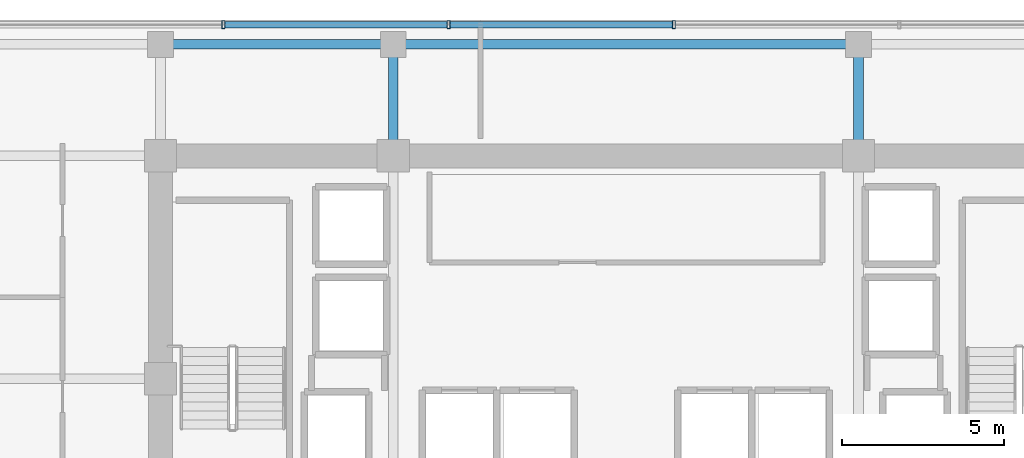
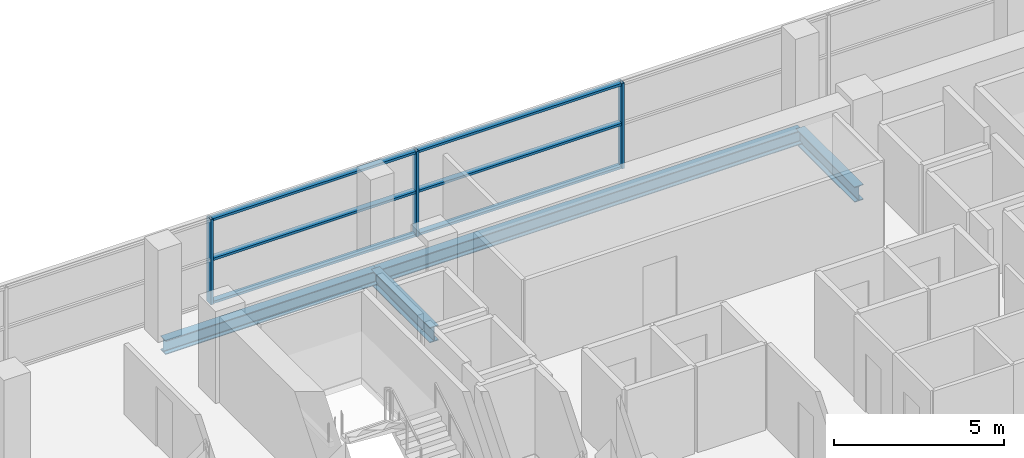
# One storey, part 15 of 27: 9 members, 4 beams, 1 element without a shape of its own.
"""IFC4 building model written with IfcOpenShell, lengths in metres."""

from ifc_helpers import new_model, si_unit, direction, frame, origin, origin_2d, place, context, subcontext, project, spatial, hollow_rectangle, i_section, extrude, source, transform, mapped, material, layer, layer_set, material_profile, profile_set, type_object, element, aggregate, save


model = new_model("IFC4")

# Units and contexts
model_context = context("Model", 3, precision=1e-05, world=origin(), true_north=direction((0.0, 1.0)))
body_context = subcontext(model_context, "Body", "Model", "MODEL_VIEW")
ifc_project = project(units=[si_unit("LENGTHUNIT", "METRE"), si_unit("AREAUNIT", "SQUARE_METRE"), si_unit("VOLUMEUNIT", "CUBIC_METRE"), si_unit("PLANEANGLEUNIT", "RADIAN"), si_unit("MASSUNIT", "GRAM", prefix="KILO")], contexts=[model_context])

# Site, building, storey
site_placement = place(None, origin())
site = spatial("IfcSite", under=ifc_project, at=site_placement, CompositionType="ELEMENT")
building_placement = place(site_placement, origin())
building = spatial("IfcBuilding", under=site, at=building_placement, Name="Zarnakvel Exchange Tower", CompositionType="ELEMENT")
storey_placement = place(building_placement, frame((0.0, 0.0, 106.60009765625)))
storey = spatial("IfcBuildingStorey", under=building, at=storey_placement, Name="L29", CompositionType="ELEMENT", Elevation=106.60009765625)

# Beams
ifc_material_1 = material(Name="Steel S355", Category="steel")
ifc_material_profile_1 = material_profile(ifc_material_1, i_section(OverallWidth=0.300048828125, OverallDepth=0.550048828125, WebThickness=0.014892578125, FlangeThickness=0.029052734375, FilletRadius=0.027099609375, at=origin_2d()))
ifc_profile_set_1 = profile_set([ifc_material_profile_1], Name="Steel S355")
beam_type_1 = type_object("IfcBeamType", Name="G-05", PredefinedType="BEAM", material=ifc_profile_set_1)
for number, where, z_axis, x_axis, name in (
    (1, (-7.199951171875, 13.5, -0.5), (0.0, 1.0, 0.0), (-1.0, 0.0, 0.0), "L29 Tower N-S Frame Beam"),
    (2, (7.199951171875, 13.5, -0.5), (0.0, 1.0, 0.0), (-1.0, 0.0, 0.0), "L29 Tower N-S Frame Beam"),
):
    element("IfcBeam", number, at=place(storey_placement, frame(where, z_axis=z_axis, x_axis=x_axis)), inside=storey, type_object=beam_type_1, Name=name, PredefinedType="BEAM", context=body_context, shape_type="SweptSolid", body=[
        extrude(i_section(OverallWidth=0.300048828125, OverallDepth=0.550048828125, WebThickness=0.014892578125, FlangeThickness=0.029052734375, FilletRadius=0.027099609375, at=origin_2d()), origin(), (0.0, 0.0, 1.0), 3.449951171875),
    ])
ifc_material_profile_2 = material_profile(ifc_material_1, i_section(OverallWidth=0.300048828125, OverallDepth=0.5, WebThickness=0.014404296875, FlangeThickness=0.028076171875, FilletRadius=0.027099609375, at=origin_2d()))
ifc_profile_set_2 = profile_set([ifc_material_profile_2], Name="Steel S355")
beam_type_2 = type_object("IfcBeamType", Name="SP-02", PredefinedType="SPANDREL", material=ifc_profile_set_2)
beam_1_placement = place(storey_placement, frame((-14.39990234375, 16.949951171875, -0.47509765625), z_axis=(1.0, 0.0, 0.0), x_axis=(0.0, 1.0, 0.0)))
element("IfcBeam", 3, at=beam_1_placement, inside=storey, type_object=beam_type_2, Name="L29 Tower E-W Frame Beam", PredefinedType="SPANDREL", context=body_context, shape_type="SweptSolid", body=[
    extrude(i_section(OverallWidth=0.300048828125, OverallDepth=0.5, WebThickness=0.014404296875, FlangeThickness=0.028076171875, FilletRadius=0.027099609375, at=origin_2d()), origin(), (0.0, 0.0, 1.0), 7.199951171875),
])
beam_2_placement = place(storey_placement, frame((-7.199951171875, 16.949951171875, -0.47509765625), z_axis=(1.0, 0.0, 0.0), x_axis=(0.0, 1.0, 0.0)))
element("IfcBeam", 4, at=beam_2_placement, inside=storey, type_object=beam_type_2, Name="L29 Tower E-W Frame Beam", PredefinedType="SPANDREL", context=body_context, shape_type="SweptSolid", body=[
    extrude(i_section(OverallWidth=0.300048828125, OverallDepth=0.5, WebThickness=0.014404296875, FlangeThickness=0.028076171875, FilletRadius=0.027099609375, at=origin_2d()), origin(), (0.0, 0.0, 1.0), 14.39990234375),
])

# Curtain wall, members
ifc_material_2 = material(Name="Architectural Bronze Anodised Aluminium", Category="aluminium")
ifc_layer = layer(ifc_material_2, 0.239990234375)
ifc_layer_set = layer_set([ifc_layer], Name="Architectural Bronze Anodised Aluminium")
curtain_wall_type = type_object("IfcCurtainWallType", Name="CW-02", PredefinedType="NOTDEFINED", material=ifc_layer_set)
curtain_wall_placement = place(storey_placement, origin())
curtain_wall = element("IfcCurtainWall", 5, at=curtain_wall_placement, inside=storey, type_object=curtain_wall_type, Name="L29 Curtain Wall CW-L29-N1 (CW-02)", PredefinedType="NOTDEFINED")
ifc_material_profile_3 = material_profile(ifc_material_2, hollow_rectangle(XDim=0.239990234375, YDim=0.090087890625, WallThickness=0.006103515625, at=origin_2d()))
ifc_profile_set_3 = profile_set([ifc_material_profile_3], Name="Architectural Bronze Anodised Aluminium")
member_type_1 = type_object("IfcMemberType", Name="CWM-02", PredefinedType="MULLION", material=ifc_profile_set_3)
shared_shape_1 = source(origin(), body_context, "Body", "SweptSolid", [
    extrude(hollow_rectangle(XDim=0.239990234375, YDim=0.090087890625, WallThickness=0.006103515625, at=origin_2d()), origin(), (0.0, 0.0, 1.0), 3.054931640625),
])
member_1_placement = place(storey_placement, frame((-12.45703125, 17.56005859375, 0.0), z_axis=(0.0, 0.0, 1.0), x_axis=(0.0, 1.0, 0.0)))
member_1 = element("IfcMember", 6, at=member_1_placement, type_object=member_type_1, Name="CW-02 mullion 3", PredefinedType="MULLION", context=body_context, shape_type="MappedRepresentation", body=[
    mapped(shared_shape_1, transform((0.0, 0.0, 0.0), x_axis=(1.0, 0.0, 0.0), y_axis=(0.0, 1.0, 0.0), z_axis=(0.0, 0.0, 1.0), scale=1.0)),
])
member_2_placement = place(storey_placement, frame((-5.485595703125, 17.56005859375, 0.0), z_axis=(0.0, 0.0, 1.0), x_axis=(0.0, 1.0, 0.0)))
member_2 = element("IfcMember", 7, at=member_2_placement, type_object=member_type_1, Name="CW-02 mullion 4", PredefinedType="MULLION", context=body_context, shape_type="MappedRepresentation", body=[
    mapped(shared_shape_1, transform((0.0, 0.0, 0.0), x_axis=(1.0, 0.0, 0.0), y_axis=(0.0, 1.0, 0.0), z_axis=(0.0, 0.0, 1.0), scale=1.0)),
])
member_3_placement = place(storey_placement, frame((1.485595703125, 17.56005859375, 0.0), z_axis=(0.0, 0.0, 1.0), x_axis=(0.0, 1.0, 0.0)))
member_3 = element("IfcMember", 8, at=member_3_placement, type_object=member_type_1, Name="CW-02 mullion 5", PredefinedType="MULLION", context=body_context, shape_type="MappedRepresentation", body=[
    mapped(shared_shape_1, transform((0.0, 0.0, 0.0), x_axis=(1.0, 0.0, 0.0), y_axis=(0.0, 1.0, 0.0), z_axis=(0.0, 0.0, 1.0), scale=1.0)),
])
ifc_material_profile_4 = material_profile(ifc_material_2, hollow_rectangle(XDim=0.199951171875, YDim=0.0849609375, WallThickness=0.0048828125, at=origin_2d()))
ifc_profile_set_4 = profile_set([ifc_material_profile_4], Name="Architectural Bronze Anodised Aluminium")
member_type_2 = type_object("IfcMemberType", Name="CWT-02", PredefinedType="USERDEFINED", material=ifc_profile_set_4)
shared_shape_2 = source(origin(), body_context, "Body", "SweptSolid", [
    extrude(hollow_rectangle(XDim=0.199951171875, YDim=0.0849609375, WallThickness=0.0048828125, at=origin_2d()), origin(), (0.0, 0.0, 1.0), 6.88134765625),
])
member_4_placement = place(storey_placement, frame((-12.412109375, 17.56005859375, 0.04248046875), z_axis=(1.0, 0.0, 0.0), x_axis=(0.0, 1.0, 0.0)))
member_4 = element("IfcMember", 9, at=member_4_placement, type_object=member_type_2, Name="CW-02 transom 3.1", ObjectType="TRANSOM", PredefinedType="USERDEFINED", context=body_context, shape_type="MappedRepresentation", body=[
    mapped(shared_shape_2, transform((0.0, 0.0, 0.0), x_axis=(1.0, 0.0, 0.0), y_axis=(0.0, 1.0, 0.0), z_axis=(0.0, 0.0, 1.0), scale=1.0)),
])
member_5_placement = place(storey_placement, frame((-12.412109375, 17.56005859375, 1.588623046875), z_axis=(1.0, 0.0, 0.0), x_axis=(0.0, 1.0, 0.0)))
member_5 = element("IfcMember", 10, at=member_5_placement, type_object=member_type_2, Name="CW-02 transom 3.2", ObjectType="TRANSOM", PredefinedType="USERDEFINED", context=body_context, shape_type="MappedRepresentation", body=[
    mapped(shared_shape_2, transform((0.0, 0.0, 0.0), x_axis=(1.0, 0.0, 0.0), y_axis=(0.0, 1.0, 0.0), z_axis=(0.0, 0.0, 1.0), scale=1.0)),
])
member_6_placement = place(storey_placement, frame((-12.412109375, 17.56005859375, 3.012451171875), z_axis=(1.0, 0.0, 0.0), x_axis=(0.0, 1.0, 0.0)))
member_6 = element("IfcMember", 11, at=member_6_placement, type_object=member_type_2, Name="CW-02 transom 3.3", ObjectType="TRANSOM", PredefinedType="USERDEFINED", context=body_context, shape_type="MappedRepresentation", body=[
    mapped(shared_shape_2, transform((0.0, 0.0, 0.0), x_axis=(1.0, 0.0, 0.0), y_axis=(0.0, 1.0, 0.0), z_axis=(0.0, 0.0, 1.0), scale=1.0)),
])
member_7_placement = place(storey_placement, frame((-5.440673828125, 17.56005859375, 0.04248046875), z_axis=(1.0, 0.0, 0.0), x_axis=(0.0, 1.0, 0.0)))
member_7 = element("IfcMember", 12, at=member_7_placement, type_object=member_type_2, Name="CW-02 transom 4.1", ObjectType="TRANSOM", PredefinedType="USERDEFINED", context=body_context, shape_type="MappedRepresentation", body=[
    mapped(shared_shape_2, transform((0.0, 0.0, 0.0), x_axis=(1.0, 0.0, 0.0), y_axis=(0.0, 1.0, 0.0), z_axis=(0.0, 0.0, 1.0), scale=1.0)),
])
member_8_placement = place(storey_placement, frame((-5.440673828125, 17.56005859375, 1.588623046875), z_axis=(1.0, 0.0, 0.0), x_axis=(0.0, 1.0, 0.0)))
member_8 = element("IfcMember", 13, at=member_8_placement, type_object=member_type_2, Name="CW-02 transom 4.2", ObjectType="TRANSOM", PredefinedType="USERDEFINED", context=body_context, shape_type="MappedRepresentation", body=[
    mapped(shared_shape_2, transform((0.0, 0.0, 0.0), x_axis=(1.0, 0.0, 0.0), y_axis=(0.0, 1.0, 0.0), z_axis=(0.0, 0.0, 1.0), scale=1.0)),
])
member_9_placement = place(storey_placement, frame((-5.440673828125, 17.56005859375, 3.012451171875), z_axis=(1.0, 0.0, 0.0), x_axis=(0.0, 1.0, 0.0)))
member_9 = element("IfcMember", 14, at=member_9_placement, type_object=member_type_2, Name="CW-02 transom 4.3", ObjectType="TRANSOM", PredefinedType="USERDEFINED", context=body_context, shape_type="MappedRepresentation", body=[
    mapped(shared_shape_2, transform((0.0, 0.0, 0.0), x_axis=(1.0, 0.0, 0.0), y_axis=(0.0, 1.0, 0.0), z_axis=(0.0, 0.0, 1.0), scale=1.0)),
])
aggregate(curtain_wall, [member_1, member_2, member_3, member_4, member_5, member_6, member_7, member_8, member_9])

save(model, "model.ifc")
